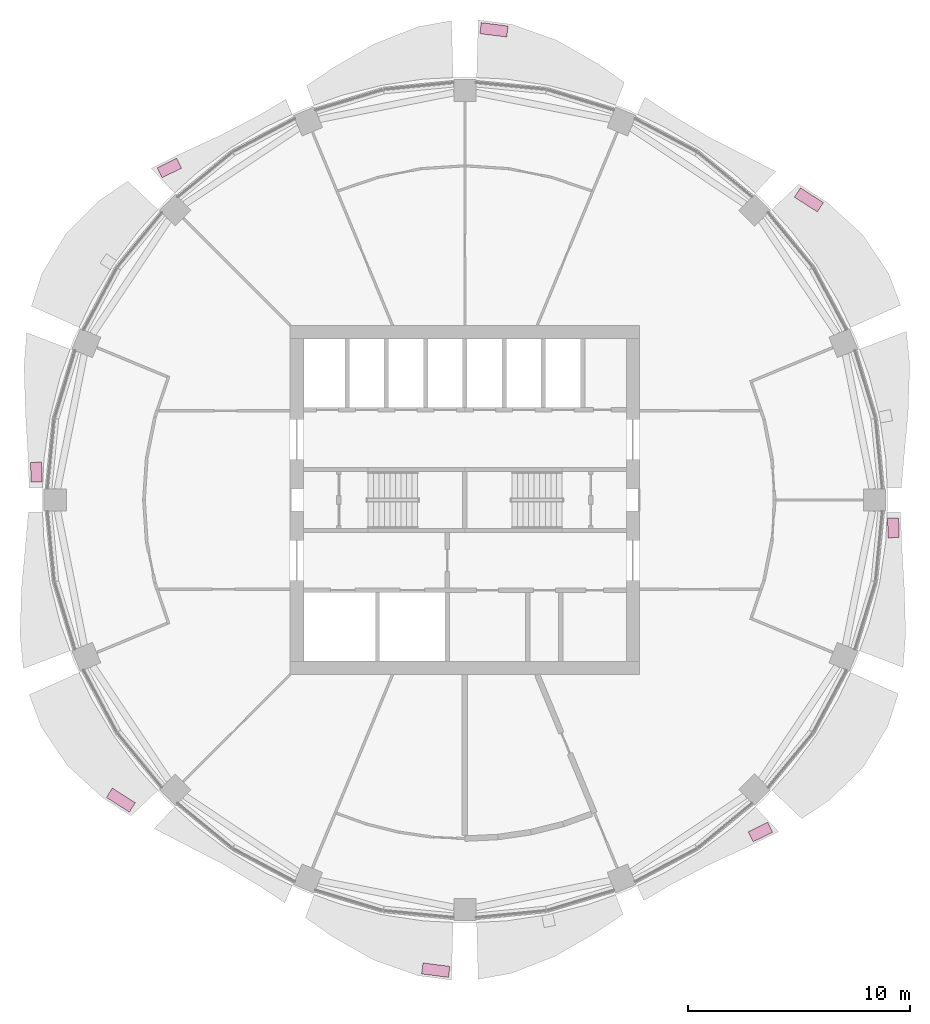
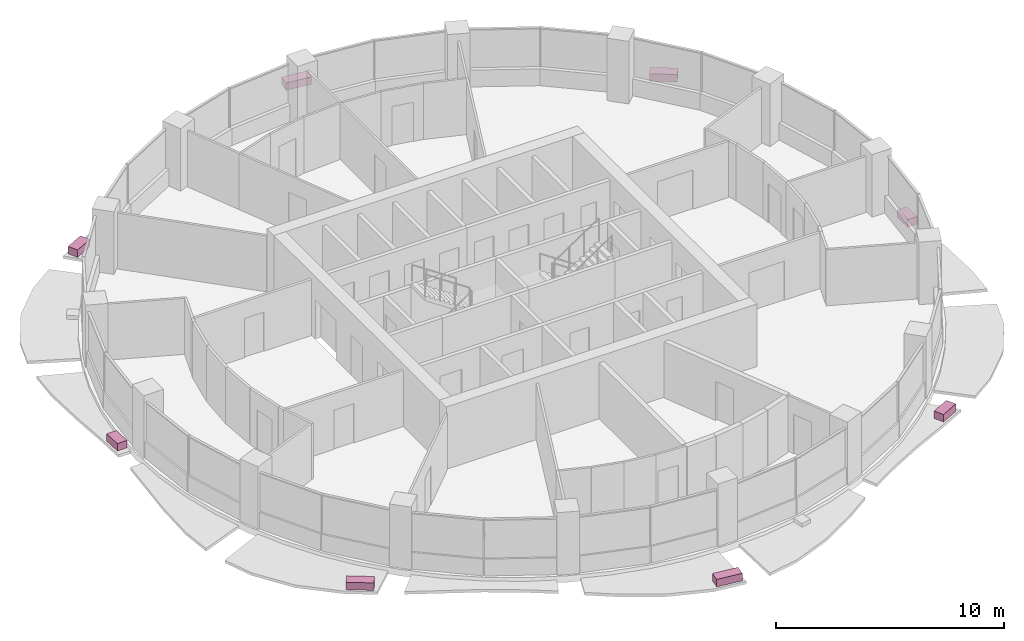
# One storey, part 15 of 15: 8 furniture elements.
"""IFC4 building model written with IfcOpenShell, lengths in metres."""

from ifc_helpers import new_model, si_unit, direction, frame, origin, origin_2d, place, context, subcontext, project, spatial, rectangle, extrude, material, type_object, element, save


model = new_model("IFC4")

# Units and contexts
model_context = context("Model", 3, precision=1e-05, world=origin(), true_north=direction((0.0, 1.0)))
body_context = subcontext(model_context, "Body", "Model", "MODEL_VIEW")
ifc_project = project(units=[si_unit("LENGTHUNIT", "METRE"), si_unit("AREAUNIT", "SQUARE_METRE"), si_unit("VOLUMEUNIT", "CUBIC_METRE"), si_unit("PLANEANGLEUNIT", "RADIAN"), si_unit("MASSUNIT", "GRAM", prefix="KILO")], contexts=[model_context])

# Site, building, storey
site_placement = place(None, origin())
site = spatial("IfcSite", under=ifc_project, at=site_placement, CompositionType="ELEMENT")
building_placement = place(site_placement, origin())
building = spatial("IfcBuilding", under=site, at=building_placement, Name="Polderwave Tower", CompositionType="ELEMENT")
storey_placement = place(building_placement, frame((0.0, 0.0, 120.949951171875)))
storey = spatial("IfcBuildingStorey", under=building, at=storey_placement, Name="L31", CompositionType="ELEMENT", Elevation=120.949951171875)

# Furniture
ifc_material = material(Name="Terracotta", Category="masonry")
furniture_type = type_object("IfcFurnitureType", Name="Terracotta planting trough", AssemblyPlace="NOTDEFINED", PredefinedType="USERDEFINED", material=ifc_material)
furniture_1_placement = place(storey_placement, frame((15.502197265625, 13.524169921875, -0.199951171875), z_axis=(0.0, 0.0, 1.0), x_axis=(-0.842028987632, 0.539432279334, 0.0)))
element("IfcFurniture", 1, at=furniture_1_placement, inside=storey, type_object=furniture_type, Name="Planting trough L31 2", ObjectType="PLANTER", PredefinedType="USERDEFINED", context=body_context, shape_type="SweptSolid", body=[
    extrude(rectangle(XDim=1.23046875, YDim=0.5, at=origin_2d()), origin(), (0.0, 0.0, 1.0), 0.39990234375),
])
furniture_2_placement = place(storey_placement, frame((1.3125, 21.18701171875, -0.199951171875), z_axis=(0.0, 0.0, 1.0), x_axis=(-0.99194360098, 0.126680276583, 0.0)))
element("IfcFurniture", 2, at=furniture_2_placement, inside=storey, type_object=furniture_type, Name="Planting trough L31 4", ObjectType="PLANTER", PredefinedType="USERDEFINED", context=body_context, shape_type="SweptSolid", body=[
    extrude(rectangle(XDim=1.221435546875, YDim=0.5, at=origin_2d()), origin(), (0.0, 0.0, 1.0), 0.39990234375),
])
furniture_3_placement = place(storey_placement, frame((-13.31591796875, 14.9619140625, -0.199951171875), z_axis=(0.0, 0.0, 1.0), x_axis=(-0.895670626564, -0.444718032815, 0.0)))
element("IfcFurniture", 3, at=furniture_3_placement, inside=storey, type_object=furniture_type, Name="Planting trough L31 6", ObjectType="PLANTER", PredefinedType="USERDEFINED", context=body_context, shape_type="SweptSolid", body=[
    extrude(rectangle(XDim=0.983642578125, YDim=0.5, at=origin_2d()), origin(), (0.0, 0.0, 1.0), 0.39990234375),
])
furniture_4_placement = place(storey_placement, frame((-19.309814453125, 1.25439453125, -0.199951171875), z_axis=(0.0, 0.0, 1.0), x_axis=(0.033804076882, -0.999428478875, 0.0)))
element("IfcFurniture", 4, at=furniture_4_placement, inside=storey, type_object=furniture_type, Name="Planting trough L31 8", ObjectType="PLANTER", PredefinedType="USERDEFINED", context=body_context, shape_type="SweptSolid", body=[
    extrude(rectangle(XDim=0.892822265625, YDim=0.5, at=origin_2d()), origin(), (0.0, 0.0, 1.0), 0.39990234375),
])
furniture_5_placement = place(storey_placement, frame((-15.502197265625, -13.524169921875, -0.199951171875), z_axis=(0.0, 0.0, 1.0), x_axis=(0.842028987632, -0.539432279334, 0.0)))
element("IfcFurniture", 5, at=furniture_5_placement, inside=storey, type_object=furniture_type, Name="Planting trough L31 10", ObjectType="PLANTER", PredefinedType="USERDEFINED", context=body_context, shape_type="SweptSolid", body=[
    extrude(rectangle(XDim=1.23046875, YDim=0.5, at=origin_2d()), origin(), (0.0, 0.0, 1.0), 0.39990234375),
])
furniture_6_placement = place(storey_placement, frame((-1.3125, -21.18701171875, -0.199951171875), z_axis=(0.0, 0.0, 1.0), x_axis=(0.99194360098, -0.126680276583, 0.0)))
element("IfcFurniture", 6, at=furniture_6_placement, inside=storey, type_object=furniture_type, Name="Planting trough L31 12", ObjectType="PLANTER", PredefinedType="USERDEFINED", context=body_context, shape_type="SweptSolid", body=[
    extrude(rectangle(XDim=1.221435546875, YDim=0.5, at=origin_2d()), origin(), (0.0, 0.0, 1.0), 0.39990234375),
])
furniture_7_placement = place(storey_placement, frame((13.31591796875, -14.9619140625, -0.199951171875), z_axis=(0.0, 0.0, 1.0), x_axis=(0.895670626564, 0.444718032815, 0.0)))
element("IfcFurniture", 7, at=furniture_7_placement, inside=storey, type_object=furniture_type, Name="Planting trough L31 14", ObjectType="PLANTER", PredefinedType="USERDEFINED", context=body_context, shape_type="SweptSolid", body=[
    extrude(rectangle(XDim=0.983642578125, YDim=0.5, at=origin_2d()), origin(), (0.0, 0.0, 1.0), 0.39990234375),
])
furniture_8_placement = place(storey_placement, frame((19.309814453125, -1.25439453125, -0.199951171875), z_axis=(0.0, 0.0, 1.0), x_axis=(-0.033804076882, 0.999428478875, 0.0)))
element("IfcFurniture", 8, at=furniture_8_placement, inside=storey, type_object=furniture_type, Name="Planting trough L31 16", ObjectType="PLANTER", PredefinedType="USERDEFINED", context=body_context, shape_type="SweptSolid", body=[
    extrude(rectangle(XDim=0.892822265625, YDim=0.5, at=origin_2d()), origin(), (0.0, 0.0, 1.0), 0.39990234375),
])

save(model, "model.ifc")
